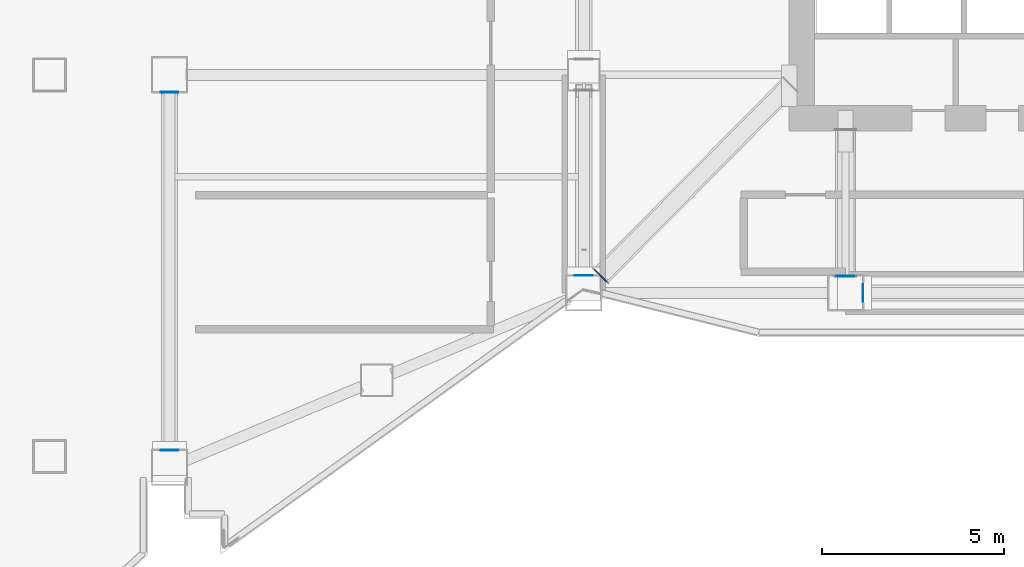
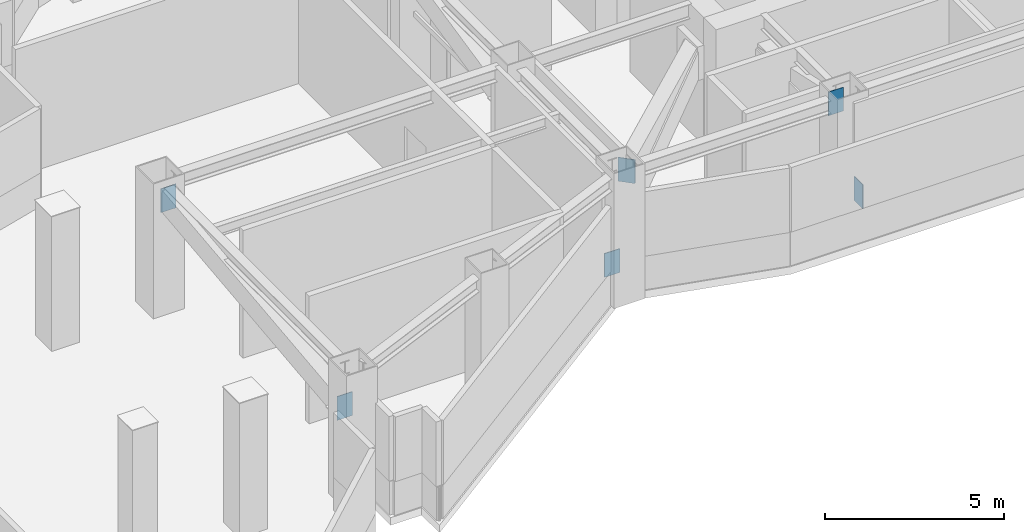
# One storey, part 8 of 24: 6 plates.
"""IFC4 building model written with IfcOpenShell, lengths in metres."""

from ifc_helpers import new_model, si_unit, direction, frame, origin, origin_2d, place, context, subcontext, project, spatial, rectangle, extrude, material, layer, layer_set, type_object, element, save


model = new_model("IFC4")

# Units and contexts
model_context = context("Model", 3, precision=1e-05, world=origin(), true_north=direction((0.0, 1.0)))
body_context = subcontext(model_context, "Body", "Model", "MODEL_VIEW")
ifc_project = project(units=[si_unit("LENGTHUNIT", "METRE"), si_unit("AREAUNIT", "SQUARE_METRE"), si_unit("VOLUMEUNIT", "CUBIC_METRE"), si_unit("PLANEANGLEUNIT", "RADIAN"), si_unit("MASSUNIT", "GRAM", prefix="KILO")], contexts=[model_context])

# Site, building, storey
site_placement = place(None, origin())
site = spatial("IfcSite", under=ifc_project, at=site_placement, CompositionType="ELEMENT")
building_placement = place(site_placement, origin())
building = spatial("IfcBuilding", under=site, at=building_placement, Name="Haolan Belvedere Tower", CompositionType="ELEMENT")
storey_placement = place(building_placement, frame((0.0, 0.0, 160.0)))
storey = spatial("IfcBuildingStorey", under=building, at=storey_placement, Name="L40", CompositionType="ELEMENT", Elevation=160.0)

# Plates
ifc_material = material(Name="Steel Q355B", Category="steel")
ifc_layer = layer(ifc_material, 0.02490234375, Name="Steel Q355B")
ifc_layer_set = layer_set([ifc_layer], Name="Steel Q355B")
plate_type = type_object("IfcPlateType", Name="PL-CAP-25", PredefinedType="SHEET", material=ifc_layer_set)
for number, where, z_axis, x_axis, name in (
    (1, (24.4658203125, 22.06982421875, 3.386474609375), (0.0, 0.0, 1.0), (0.71020994994, -0.703989933881, 0.0), "Hollow steel end-cap plate OR-W2-L40-DG-CAP1"),
    (2, (31.199951171875, 22.057861328125, 3.3876953125), (0.0, 0.0, 1.0), (1.0, 0.0, 0.0), "Hollow steel end-cap plate OR-S1-L40-DG-CAP1"),
    (3, (24.0, 22.0791015625, 0.388916015625), (0.0, 0.0, 1.0), (1.0, 0.0, 0.0), "Hollow steel end-cap plate BT-W1-L40-CAP0"),
    (4, (31.678466796875, 21.60009765625, 0.389892578125), (0.0, 0.0, 1.0), (0.0, -1.0, 0.0), "Hollow steel end-cap plate BT-S1-L40-CAP0"),
    (5, (12.60009765625, 17.277587890625, 2.41357421875), (0.0, 0.0, 1.0), (1.0, 0.0, 0.0), "Hollow steel end-cap plate BT-T2-L40-CAP0"),
    (6, (12.60009765625, 27.122314453125, 3.5263671875), (0.0, 0.0, 1.0), (-1.0, 0.0, 0.0), "Hollow steel end-cap plate BT-T2-L40-CAP1"),
):
    element("IfcPlate", number, at=place(storey_placement, frame(where, z_axis=z_axis, x_axis=x_axis)), inside=storey, type_object=plate_type, Name=name, PredefinedType="SHEET", context=body_context, shape_type="SweptSolid", body=[
        extrude(rectangle(XDim=0.489990234375, YDim=0.02490234375, at=origin_2d()), origin(), (0.0, 0.0, 1.0), 0.81005859375),
    ])

save(model, "model.ifc")
